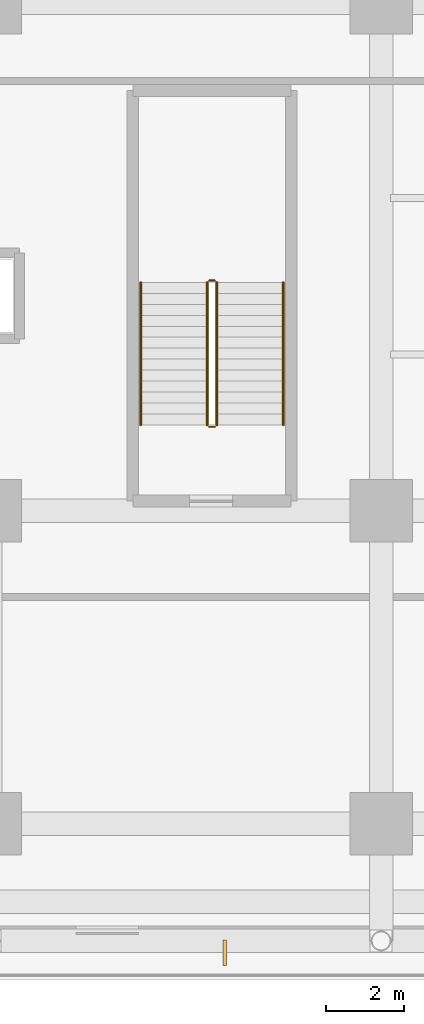
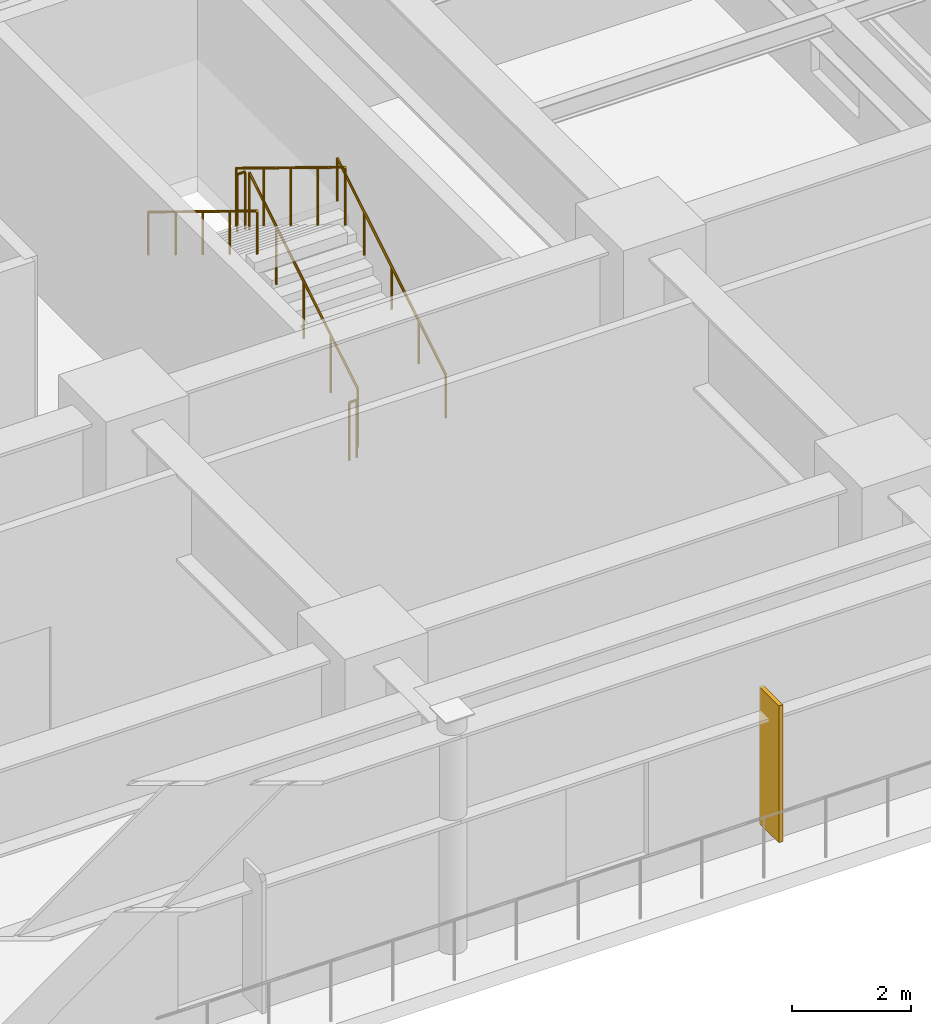
# One storey, part 38 of 38: 6 railings, 1 shading device.
"""IFC4 building model written with IfcOpenShell, lengths in metres."""

from ifc_helpers import new_model, si_unit, direction, frame, origin, origin_2d, place, context, subcontext, project, spatial, rectangle, circle, extrude, source, transform, mapped, material, layer, layer_set, type_object, element, save


model = new_model("IFC4")

# Units and contexts
model_context = context("Model", 3, precision=1e-05, world=origin(), true_north=direction((0.0, 1.0)))
body_context = subcontext(model_context, "Body", "Model", "MODEL_VIEW")
ifc_project = project(units=[si_unit("LENGTHUNIT", "METRE"), si_unit("AREAUNIT", "SQUARE_METRE"), si_unit("VOLUMEUNIT", "CUBIC_METRE"), si_unit("PLANEANGLEUNIT", "RADIAN"), si_unit("MASSUNIT", "GRAM", prefix="KILO")], contexts=[model_context])

# Site, building, storey
site_placement = place(None, origin())
site = spatial("IfcSite", under=ifc_project, at=site_placement, CompositionType="ELEMENT")
building_placement = place(site_placement, origin())
building = spatial("IfcBuilding", under=site, at=building_placement, Name="Khorayat Bourse Tower", CompositionType="ELEMENT")
storey_placement = place(building_placement, frame((0.0, 0.0, 17.39990234375)))
storey = spatial("IfcBuildingStorey", under=building, at=storey_placement, Name="L03", CompositionType="ELEMENT", Elevation=17.39990234375)

# Shading device
ifc_material_1 = material(Name="Anodised champagne aluminium", Category="aluminium")
ifc_layer = layer(ifc_material_1, 0.080078125)
ifc_layer_set = layer_set([ifc_layer], Name="Anodised champagne aluminium")
shading_device_type = type_object("IfcShadingDeviceType", Name="SHD-MASHRABIYA-FIN", PredefinedType="USERDEFINED", material=ifc_layer_set)
shared_shape_1 = source(origin(), body_context, "Body", "SweptSolid", [
    extrude(rectangle(XDim=0.080078125, YDim=0.64990234375, at=origin_2d()), origin(), (0.0, 0.0, 1.0), 2.800048828125),
])
shading_device_placement = place(storey_placement, frame((28.0, -35.300048828125, 0.39990234375), z_axis=(0.0, 0.0, 1.0), x_axis=(1.0, 0.0, 0.0)))
element("IfcShadingDevice", 1, at=shading_device_placement, inside=storey, type_object=shading_device_type, Name="L03 Mashrabiya Vertical Shading Fin 4", ObjectType="FIN", PredefinedType="USERDEFINED", context=body_context, shape_type="MappedRepresentation", body=[
    mapped(shared_shape_1, transform((0.0, 0.0, 0.0), scale=1.0)),
])

# Railings
ifc_material_2 = material(Name="Powder-coated steel balustrade", Category="steel")
railing_type_1 = type_object("IfcRailingType", Name="RLG-GUARD-1200", PredefinedType="GUARDRAIL", material=ifc_material_2)
shared_shape_2 = source(origin(), body_context, "Body", "SweptSolid", [
    extrude(circle(Radius=0.02392578125, at=origin_2d()), frame((0.0, 0.0, 1.17578125), z_axis=(0.0, 0.852865859571, 0.52213008492), x_axis=(-1.0, 0.0, 0.0)), (0.0, 0.0, 1.0), 4.26806640625),
    extrude(circle(Radius=0.02099609375, at=origin_2d()), origin(), (0.0, 0.0, 1.0), 1.15185546875),
    extrude(circle(Radius=0.02099609375, at=origin_2d()), frame((0.0, 0.91015625, 0.55712890625)), (0.0, 0.0, 1.0), 1.15185546875),
    extrude(circle(Radius=0.02099609375, at=origin_2d()), frame((0.0, 1.820068359375, 1.1142578125)), (0.0, 0.0, 1.0), 1.15185546875),
    extrude(circle(Radius=0.02099609375, at=origin_2d()), frame((0.0, 2.72998046875, 1.67138671875)), (0.0, 0.0, 1.0), 1.15185546875),
    extrude(circle(Radius=0.02099609375, at=origin_2d()), frame((0.0, 3.64013671875, 2.228515625)), (0.0, 0.0, 1.0), 1.15185546875),
])
railing_1_placement = place(storey_placement, frame((27.800048828125, -21.800048828125, 0.171630859375)))
element("IfcRailing", 2, at=railing_1_placement, inside=storey, type_object=railing_type_1, Name="L03 ST-P2 stair guard 1", PredefinedType="GUARDRAIL", context=body_context, shape_type="MappedRepresentation", body=[
    mapped(shared_shape_2, transform((0.0, 0.0, 0.0), scale=1.0)),
])
shared_shape_3 = source(origin(), body_context, "Body", "SweptSolid", [
    extrude(circle(Radius=0.02392578125, at=origin_2d()), frame((0.0, 0.0, 1.17578125), z_axis=(-1.0, 0.0, 0.0), x_axis=(0.0, -1.0, 0.0)), (0.0, 0.0, 1.0), 0.14990234375),
    extrude(circle(Radius=0.02099609375, at=origin_2d()), origin(), (0.0, 0.0, 1.0), 1.15185546875),
    extrude(circle(Radius=0.02099609375, at=origin_2d()), frame((-0.14990234375, 0.0, 0.0)), (0.0, 0.0, 1.0), 1.15185546875),
])
for number, where, name in (
    (3, (27.75, -18.110107421875, 2.400146484375), "L03 ST-P2 stair guard 2"),
    (4, (27.75, -21.85009765625, 0.0), "L03 ST-P2 stair guard 4"),
):
    element("IfcRailing", number, at=place(storey_placement, frame(where)), inside=storey, type_object=railing_type_1, Name=name, PredefinedType="GUARDRAIL", context=body_context, shape_type="MappedRepresentation", body=[
        mapped(shared_shape_3, transform((0.0, 0.0, 0.0), scale=1.0)),
    ])
shared_shape_4 = source(origin(), body_context, "Body", "SweptSolid", [
    extrude(circle(Radius=0.02392578125, at=origin_2d()), frame((0.0, 0.0, 1.17578125), z_axis=(0.0, -0.852865859571, 0.52213008492), x_axis=(1.0, 0.0, 0.0)), (0.0, 0.0, 1.0), 4.26806640625),
    extrude(circle(Radius=0.02099609375, at=origin_2d()), origin(), (0.0, 0.0, 1.0), 1.15185546875),
    extrude(circle(Radius=0.02099609375, at=origin_2d()), frame((0.0, -0.91015625, 0.55712890625)), (0.0, 0.0, 1.0), 1.15185546875),
    extrude(circle(Radius=0.02099609375, at=origin_2d()), frame((0.0, -1.820068359375, 1.1142578125)), (0.0, 0.0, 1.0), 1.15185546875),
    extrude(circle(Radius=0.02099609375, at=origin_2d()), frame((0.0, -2.72998046875, 1.67138671875)), (0.0, 0.0, 1.0), 1.15185546875),
    extrude(circle(Radius=0.02099609375, at=origin_2d()), frame((0.0, -3.64013671875, 2.228515625)), (0.0, 0.0, 1.0), 1.15185546875),
])
railing_2_placement = place(storey_placement, frame((27.550048828125, -18.159912109375, 2.571533203125)))
element("IfcRailing", 5, at=railing_2_placement, inside=storey, type_object=railing_type_1, Name="L03 ST-P2 stair guard 3", PredefinedType="GUARDRAIL", context=body_context, shape_type="MappedRepresentation", body=[
    mapped(shared_shape_4, transform((0.0, 0.0, 0.0), scale=1.0)),
])
ifc_material_3 = material(Name="Brushed bronze stainless-steel handrail", Category="steel")
railing_type_2 = type_object("IfcRailingType", Name="RLG-HAND-900", PredefinedType="HANDRAIL", material=ifc_material_3)
shared_shape_5 = source(origin(), body_context, "Body", "SweptSolid", [
    extrude(circle(Radius=0.02392578125, at=origin_2d()), frame((0.0, 0.0, 0.8759765625), z_axis=(0.0, 0.852865859571, 0.52213008492), x_axis=(-1.0, 0.0, 0.0)), (0.0, 0.0, 1.0), 4.26806640625),
    extrude(circle(Radius=0.02099609375, at=origin_2d()), origin(), (0.0, 0.0, 1.0), 0.851806640625),
    extrude(circle(Radius=0.02099609375, at=origin_2d()), frame((0.0, 0.91015625, 0.55712890625)), (0.0, 0.0, 1.0), 0.851806640625),
    extrude(circle(Radius=0.02099609375, at=origin_2d()), frame((0.0, 1.820068359375, 1.1142578125)), (0.0, 0.0, 1.0), 0.851806640625),
    extrude(circle(Radius=0.02099609375, at=origin_2d()), frame((0.0, 2.72998046875, 1.67138671875)), (0.0, 0.0, 1.0), 0.851806640625),
    extrude(circle(Radius=0.02099609375, at=origin_2d()), frame((0.0, 3.64013671875, 2.228515625)), (0.0, 0.0, 1.0), 0.851806640625),
])
railing_3_placement = place(storey_placement, frame((29.5, -21.800048828125, 0.171630859375)))
element("IfcRailing", 6, at=railing_3_placement, inside=storey, type_object=railing_type_2, Name="L03 ST-P2 stair handrail 1", PredefinedType="HANDRAIL", context=body_context, shape_type="MappedRepresentation", body=[
    mapped(shared_shape_5, transform((0.0, 0.0, 0.0), scale=1.0)),
])
shared_shape_6 = source(origin(), body_context, "Body", "SweptSolid", [
    extrude(circle(Radius=0.02392578125, at=origin_2d()), frame((0.0, 0.0, 0.8759765625), z_axis=(0.0, -0.852865859571, 0.52213008492), x_axis=(1.0, 0.0, 0.0)), (0.0, 0.0, 1.0), 4.26806640625),
    extrude(circle(Radius=0.02099609375, at=origin_2d()), origin(), (0.0, 0.0, 1.0), 0.851806640625),
    extrude(circle(Radius=0.02099609375, at=origin_2d()), frame((0.0, -0.91015625, 0.55712890625)), (0.0, 0.0, 1.0), 0.851806640625),
    extrude(circle(Radius=0.02099609375, at=origin_2d()), frame((0.0, -1.820068359375, 1.1142578125)), (0.0, 0.0, 1.0), 0.851806640625),
    extrude(circle(Radius=0.02099609375, at=origin_2d()), frame((0.0, -2.72998046875, 1.67138671875)), (0.0, 0.0, 1.0), 0.851806640625),
    extrude(circle(Radius=0.02099609375, at=origin_2d()), frame((0.0, -3.64013671875, 2.228515625)), (0.0, 0.0, 1.0), 0.851806640625),
])
railing_4_placement = place(storey_placement, frame((25.85009765625, -18.159912109375, 2.571533203125)))
element("IfcRailing", 7, at=railing_4_placement, inside=storey, type_object=railing_type_2, Name="L03 ST-P2 stair handrail 2", PredefinedType="HANDRAIL", context=body_context, shape_type="MappedRepresentation", body=[
    mapped(shared_shape_6, transform((0.0, 0.0, 0.0), scale=1.0)),
])

save(model, "model.ifc")
